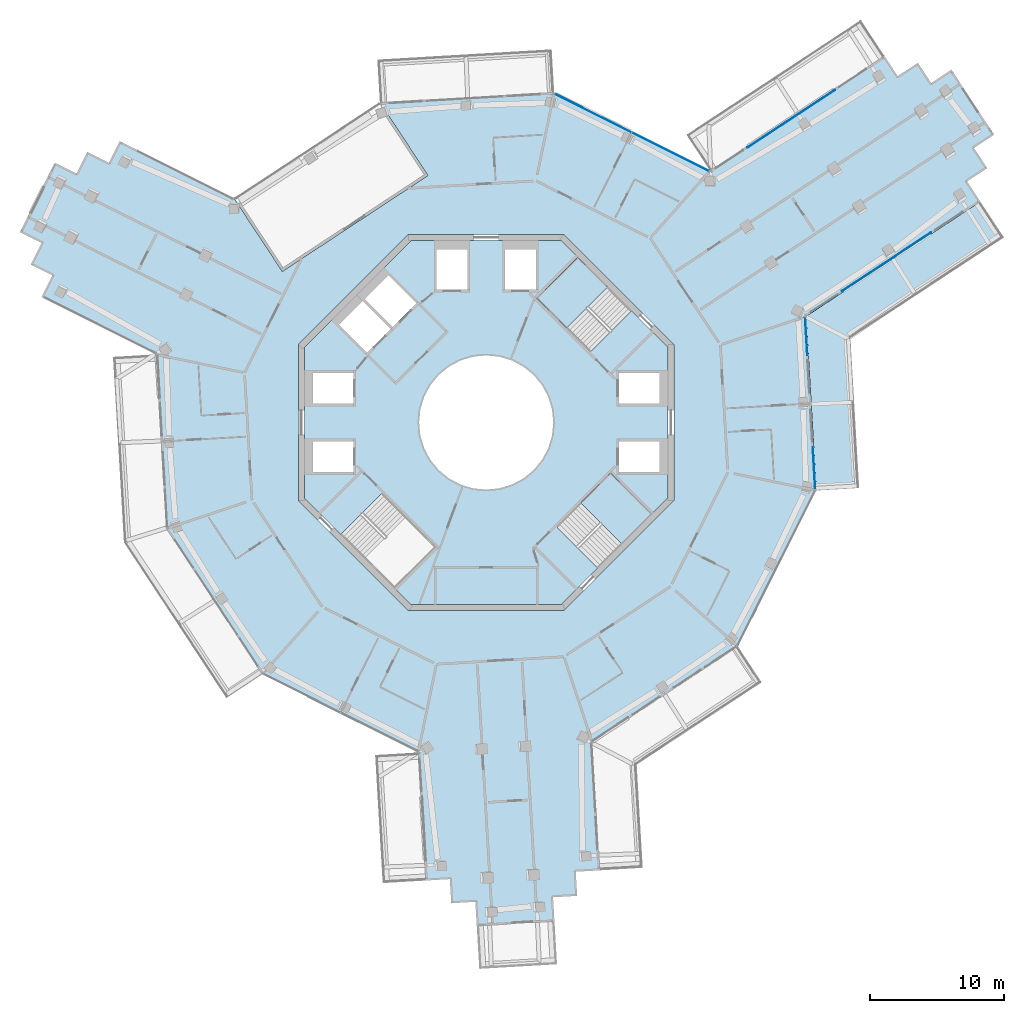
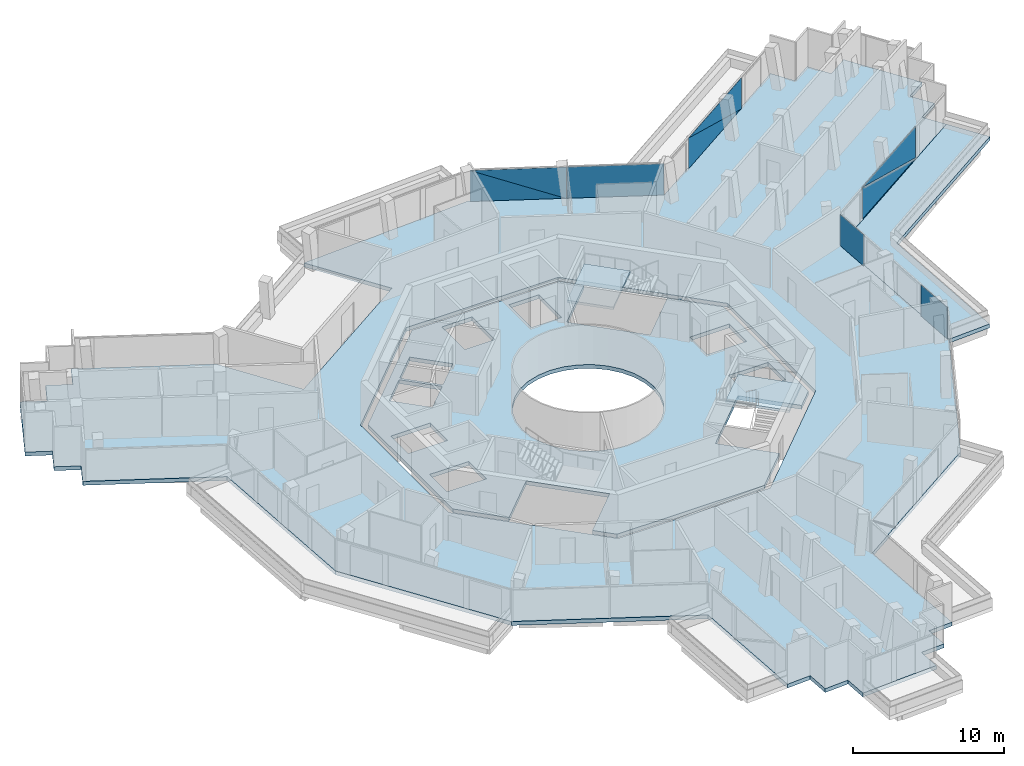
# One storey, part 15 of 26: 9 plates, 5 slabs, 6 elements without a shape of their own.
"""IFC4 building model written with IfcOpenShell, lengths in metres."""

from ifc_helpers import new_model, si_unit, direction, frame, origin, origin_2d, place, context, subcontext, project, spatial, polyline, rectangle, outline, extrude, material, layer, layer_set, type_object, element, aggregate, save


model = new_model("IFC4")

# Units and contexts
model_context = context("Model", 3, precision=1e-05, world=origin(), true_north=direction((0.0, 1.0)))
body_context = subcontext(model_context, "Body", "Model", "MODEL_VIEW")
ifc_project = project(units=[si_unit("LENGTHUNIT", "METRE"), si_unit("AREAUNIT", "SQUARE_METRE"), si_unit("VOLUMEUNIT", "CUBIC_METRE"), si_unit("PLANEANGLEUNIT", "RADIAN"), si_unit("MASSUNIT", "GRAM", prefix="KILO")], contexts=[model_context])

# Site, building, storey
site_placement = place(None, origin())
site = spatial("IfcSite", under=ifc_project, at=site_placement, CompositionType="ELEMENT")
building_placement = place(site_placement, origin())
building = spatial("IfcBuilding", under=site, at=building_placement, Name="Verdalira Terraces Hotel", CompositionType="ELEMENT")
storey_placement = place(building_placement, frame((0.0, 0.0, 291.5)))
storey = spatial("IfcBuildingStorey", under=building, at=storey_placement, Name="L72", CompositionType="ELEMENT", Elevation=291.5)

# Slab
ifc_material_1 = material(Name="Precast concrete C40/50", Category="concrete")
ifc_layer_1 = layer(ifc_material_1, 0.31005859375)
ifc_layer_set_1 = layer_set([ifc_layer_1], Name="Balcony deck 310")
slab_type_1 = type_object("IfcSlabType", Name="Balcony deck 310", PredefinedType="FLOOR", material=ifc_layer_set_1)
slab_1_placement = place(storey_placement, frame((0.0, 0.0, -0.310059)))
element("IfcSlab", 1, at=slab_1_placement, inside=storey, type_object=slab_type_1, Name="Balcony deck", PredefinedType="FLOOR", context=body_context, shape_type="SweptSolid", body=[
    extrude(outline(polyline([(38.581055, 13.787354), (36.821533, 16.460205), (23.835693, 7.910645), (24.597656, -5.067139), (27.791992, -4.879395), (27.138428, 6.253906), (38.581055, 13.787354)])), origin(), (0.0, 0.0, 1.0), 0.310059),
])

# Curtain wall, plates
ifc_material_2 = material(Name="Clear glass", Category="glass")
ifc_layer_2 = layer(ifc_material_2, 0.14990234375)
ifc_layer_set_2 = layer_set([ifc_layer_2], Name="CW1 curtain wall")
curtain_wall_type_1 = type_object("IfcCurtainWallType", Name="CW1 curtain wall", PredefinedType="NOTDEFINED", material=ifc_layer_set_2)
curtain_wall_1_placement = place(storey_placement, origin())
curtain_wall_1 = element("IfcCurtainWall", 2, at=curtain_wall_1_placement, inside=storey, type_object=curtain_wall_type_1, Name="CW1 curtain wall L72 edge 27", PredefinedType="NOTDEFINED")
ifc_material_3 = material(Name="Clear glass", Category="glass")
ifc_layer_3 = layer(ifc_material_3, 0.028076171875)
ifc_layer_set_3 = layer_set([ifc_layer_3], Name="CW1 glass unit 28")
plate_type_1 = type_object("IfcPlateType", Name="CW1 glass unit 28", PredefinedType="CURTAIN_PANEL", material=ifc_layer_set_3)
plate_1_placement = place(storey_placement, frame((24.424561, -3.39917, 0.0), z_axis=(0.0, 0.0, 1.0), x_axis=(-0.058609456, 0.998280988, 0.0)))
plate_1 = element("IfcPlate", 3, at=plate_1_placement, type_object=plate_type_1, Name="CW1 glass unit", PredefinedType="CURTAIN_PANEL", context=body_context, shape_type="SweptSolid", body=[
    extrude(rectangle(XDim=3.149902, YDim=0.028076, at=origin_2d()), origin(), (0.0, 0.0, 1.0), 2.524902),
])
plate_2_placement = place(storey_placement, frame((23.847168, 6.434326, 0.0), z_axis=(0.0, 0.0, 1.0), x_axis=(-0.058609456, 0.998280988, 0.0)))
plate_2 = element("IfcPlate", 4, at=plate_2_placement, type_object=plate_type_1, Name="CW1 glass unit", PredefinedType="CURTAIN_PANEL", context=body_context, shape_type="SweptSolid", body=[
    extrude(rectangle(XDim=2.828613, YDim=0.028076, at=origin_2d()), origin(), (0.0, 0.0, 1.0), 2.524902),
])
aggregate(curtain_wall_1, [plate_1, plate_2])

curtain_wall_2_placement = place(storey_placement, origin())
curtain_wall_2 = element("IfcCurtainWall", 5, at=curtain_wall_2_placement, inside=storey, type_object=curtain_wall_type_1, Name="CW1 curtain wall L72 edge 39", PredefinedType="NOTDEFINED")
plate_3_placement = place(storey_placement, frame((13.734863, 20.165527, 0.0), z_axis=(0.0, 0.0, 1.0), x_axis=(-0.893841424, 0.448383216, 0.0)))
plate_3 = element("IfcPlate", 6, at=plate_3_placement, type_object=plate_type_1, Name="CW1 glass unit", PredefinedType="CURTAIN_PANEL", context=body_context, shape_type="SweptSolid", body=[
    extrude(rectangle(XDim=6.409912, YDim=0.028076, at=origin_2d()), origin(), (0.0, 0.0, 1.0), 2.524902),
])
plate_4_placement = place(storey_placement, frame((7.963379, 23.045166, 1.262451), z_axis=(0.448383216, 0.893841424, 0.0), x_axis=(-0.893841424, 0.448383216, 0.0)))
plate_4 = element("IfcPlate", 7, at=plate_4_placement, type_object=plate_type_1, Name="CW1 glass unit", PredefinedType="CURTAIN_PANEL", context=body_context, shape_type="SweptSolid", body=[
    extrude(outline(polyline([(-3.185059, -1.262451), (3.185059, -1.262451), (3.185059, 1.262451), (-3.185059, -1.262451)])), origin(), (0.0, 0.0, 1.0), 0.028076),
])
plate_5_placement = place(storey_placement, frame((7.950439, 23.019043, 1.262451), z_axis=(0.448383216, 0.893841424, 0.0), x_axis=(-0.893841424, 0.448383216, 0.0)))
plate_5 = element("IfcPlate", 8, at=plate_5_placement, type_object=plate_type_1, Name="CW1 glass unit", PredefinedType="CURTAIN_PANEL", context=body_context, shape_type="SweptSolid", body=[
    extrude(outline(polyline([(-3.185059, -1.262451), (3.185059, 1.262451), (-3.185059, 1.262451), (-3.185059, -1.262451)])), origin(), (0.0, 0.0, 1.0), 0.028076),
])
aggregate(curtain_wall_2, [plate_3, plate_4, plate_5])

ifc_material_4 = material(Name="Clear glass", Category="glass")
ifc_layer_4 = layer(ifc_material_4, 0.14990234375)
ifc_layer_set_4 = layer_set([ifc_layer_4], Name="CW2 curtain wall")
curtain_wall_type_2 = type_object("IfcCurtainWallType", Name="CW2 curtain wall", PredefinedType="NOTDEFINED", material=ifc_layer_set_4)
curtain_wall_3_placement = place(storey_placement, origin())
curtain_wall_3 = element("IfcCurtainWall", 9, at=curtain_wall_3_placement, inside=storey, type_object=curtain_wall_type_2, Name="CW2 curtain wall L72 edge 28", PredefinedType="NOTDEFINED")
ifc_material_5 = material(Name="Clear glass", Category="glass")
ifc_layer_5 = layer(ifc_material_5, 0.031982421875)
ifc_layer_set_5 = layer_set([ifc_layer_5], Name="CW2 glass unit 32")
plate_type_2 = type_object("IfcPlateType", Name="CW2 glass unit 32", PredefinedType="CURTAIN_PANEL", material=ifc_layer_set_5)
plate_6_placement = place(storey_placement, frame((29.831787, 11.967285, 1.262451), z_axis=(0.549897772, -0.835231968, 0.0), x_axis=(0.835231968, 0.549897772, 0.0)))
plate_6 = element("IfcPlate", 10, at=plate_6_placement, type_object=plate_type_2, Name="CW2 glass unit", PredefinedType="CURTAIN_PANEL", context=body_context, shape_type="SweptSolid", body=[
    extrude(outline(polyline([(-3.96875, -1.262451), (3.96875, -1.262451), (-3.96875, 1.262451), (-3.96875, -1.262451)])), origin(), (0.0, 0.0, 1.0), 0.031982),
])
plate_7_placement = place(storey_placement, frame((29.813721, 11.994629, 1.262451), z_axis=(0.549897772, -0.835231968, 0.0), x_axis=(0.835231968, 0.549897772, 0.0)))
plate_7 = element("IfcPlate", 11, at=plate_7_placement, type_object=plate_type_2, Name="CW2 glass unit", PredefinedType="CURTAIN_PANEL", context=body_context, shape_type="SweptSolid", body=[
    extrude(outline(polyline([(3.96875, -1.262451), (3.96875, 1.262451), (-3.96875, 1.262451), (3.96875, -1.262451)])), origin(), (0.0, 0.0, 1.0), 0.031982),
])
aggregate(curtain_wall_3, [plate_6, plate_7])

curtain_wall_4_placement = place(storey_placement, origin())
curtain_wall_4 = element("IfcCurtainWall", 12, at=curtain_wall_4_placement, inside=storey, type_object=curtain_wall_type_2, Name="CW2 curtain wall L72 edge 38", PredefinedType="NOTDEFINED")
plate_8_placement = place(storey_placement, frame((22.724609, 22.634521, 1.262451), z_axis=(-0.549897772, 0.835231968, 0.0), x_axis=(-0.835231968, -0.549897772, 0.0)))
plate_8 = element("IfcPlate", 13, at=plate_8_placement, type_object=plate_type_2, Name="CW2 glass unit", PredefinedType="CURTAIN_PANEL", context=body_context, shape_type="SweptSolid", body=[
    extrude(outline(polyline([(-3.898682, -1.262451), (3.898682, -1.262451), (3.898682, 1.262451), (-3.898682, -1.262451)])), origin(), (0.0, 0.0, 1.0), 0.031982),
])
plate_9_placement = place(storey_placement, frame((22.742676, 22.607178, 1.262451), z_axis=(-0.549897772, 0.835231968, 0.0), x_axis=(-0.835231968, -0.549897772, 0.0)))
plate_9 = element("IfcPlate", 14, at=plate_9_placement, type_object=plate_type_2, Name="CW2 glass unit", PredefinedType="CURTAIN_PANEL", context=body_context, shape_type="SweptSolid", body=[
    extrude(outline(polyline([(-3.898682, -1.262451), (3.898682, 1.262451), (-3.898682, 1.262451), (-3.898682, -1.262451)])), origin(), (0.0, 0.0, 1.0), 0.031982),
])
aggregate(curtain_wall_4, [plate_8, plate_9])

# Slab
ifc_material_6 = material(Name="Concrete C40", Category="concrete")
ifc_layer_6 = layer(ifc_material_6, 0.31005859375)
ifc_layer_set_6 = layer_set([ifc_layer_6], Name="Core floor slab 310 mm")
slab_type_2 = type_object("IfcSlabType", Name="Core floor slab 310 mm", PredefinedType="FLOOR", material=ifc_layer_set_6)
slab_2_placement = place(storey_placement, frame((0.0, 0.0, -0.310059)))
element("IfcSlab", 15, at=slab_2_placement, inside=storey, type_object=slab_type_2, Name="L72 core floor", PredefinedType="FLOOR", context=body_context, shape_type="SweptSolid", body=[
    extrude(outline(polyline([(-6.809326, -12.353271), (-3.719482, -9.263184), (-7.746094, -5.236572), (-10.836182, -8.326416), (-13.550049, -5.612549), (-13.550049, 5.612549), (-5.612549, 13.550049), (5.612549, 13.550049), (6.809326, 12.353271), (3.719482, 9.263184), (7.746094, 5.236572), (10.836182, 8.326416), (13.550049, 5.612549), (13.550049, -5.612549), (12.353271, -6.809326), (9.263184, -3.719482), (5.236572, -7.746094), (8.326416, -10.836182), (5.612549, -13.550049), (-5.612549, -13.550049), (-6.809326, -12.353271)]), holes=[polyline([(9.899902, -1.399902), (9.899902, -3.699951), (12.899902, -3.699951), (12.899902, -1.399902), (9.899902, -1.399902)]), polyline([(9.899902, 3.699951), (9.899902, 1.399902), (12.899902, 1.399902), (12.899902, 3.699951), (9.899902, 3.699951)]), polyline([(3.699951, 12.899902), (1.399902, 12.899902), (1.399902, 9.899902), (3.699951, 9.899902), (3.699951, 12.899902)]), polyline([(-1.399902, 12.899902), (-3.699951, 12.899902), (-3.699951, 9.899902), (-1.399902, 9.899902), (-1.399902, 12.899902)]), polyline([(-9.899902, 1.399902), (-9.899902, 3.699951), (-12.899902, 3.699951), (-12.899902, 1.399902), (-9.899902, 1.399902)]), polyline([(-9.899902, -3.699951), (-9.899902, -1.399902), (-12.899902, -1.399902), (-12.899902, -3.699951), (-9.899902, -3.699951)]), polyline([(-9.051025, 9.192383), (-6.965088, 7.106445), (-5.197266, 8.874268), (-7.283203, 10.960205), (-9.051025, 9.192383)]), polyline([(-9.192383, 9.051025), (-10.960205, 7.283203), (-8.874268, 5.197266), (-7.106445, 6.965088), (-9.192383, 9.051025)]), polyline([(3.5354, 3.5354), (2.777832, 4.157227), (1.91333, 4.619385), (0.975586, 4.903809), (0.0, 5.0), (-0.975586, 4.903809), (-1.91333, 4.619385), (-2.777832, 4.157227), (-3.5354, 3.5354), (-4.157227, 2.777832), (-4.619385, 1.91333), (-4.903809, 0.975586), (-5.0, 0.0), (-4.903809, -0.975586), (-4.619385, -1.91333), (-4.157227, -2.777832), (-3.5354, -3.5354), (-2.777832, -4.157227), (-1.91333, -4.619385), (-0.975586, -4.903809), (0.0, -5.0), (0.975586, -4.903809), (1.91333, -4.619385), (2.777832, -4.157227), (3.5354, -3.5354), (4.157227, -2.777832), (4.619385, -1.91333), (4.903809, -0.975586), (5.0, 0.0), (4.903809, 0.975586), (4.619385, 1.91333), (4.157227, 2.777832), (3.5354, 3.5354)])]), origin(), (0.0, 0.0, 1.0), 0.310059),
])

# Stair, slab
ifc_material_7 = material(Name="Concrete C40", Category="concrete")
stair_type = type_object("IfcStairType", Name="Core stair 20 risers 2125 mm wide", PredefinedType="HALF_TURN_STAIR", material=ifc_material_7)
stair_1_placement = place(storey_placement, origin())
stair_1 = element("IfcStair", 16, at=stair_1_placement, inside=storey, type_object=stair_type, Name="L72 Exit stair ST1", PredefinedType="HALF_TURN_STAIR")
ifc_material_8 = material(Name="Concrete C40", Category="concrete")
ifc_layer_7 = layer(ifc_material_8, 0.199951171875)
ifc_layer_set_7 = layer_set([ifc_layer_7], Name="Core stair landing 200 mm")
slab_type_3 = type_object("IfcSlabType", Name="Core stair landing 200 mm", PredefinedType="LANDING", material=ifc_layer_set_7)
slab_3_placement = place(storey_placement, frame((0.0, 0.0, 1.550049)))
slab_3 = element("IfcSlab", 17, at=slab_3_placement, type_object=slab_type_3, Name="ST1 landing 1", PredefinedType="LANDING", context=body_context, shape_type="SweptSolid", body=[
    extrude(outline(polyline([(9.054932, 10.107666), (6.823486, 12.339111), (3.747559, 9.263184), (5.979004, 7.031738), (9.054932, 10.107666)])), origin(), (0.0, 0.0, 1.0), 0.199951),
])
aggregate(stair_1, [slab_3])

stair_2_placement = place(storey_placement, origin())
stair_2 = element("IfcStair", 18, at=stair_2_placement, inside=storey, type_object=stair_type, Name="L72 Exit stair ST3", PredefinedType="HALF_TURN_STAIR")
slab_4_placement = place(storey_placement, frame((0.0, 0.0, 1.550049)))
slab_4 = element("IfcSlab", 19, at=slab_4_placement, type_object=slab_type_3, Name="ST3 landing 1", PredefinedType="LANDING", context=body_context, shape_type="SweptSolid", body=[
    extrude(outline(polyline([(10.107666, -9.054932), (12.339111, -6.823486), (9.263184, -3.747559), (7.031738, -5.979004), (10.107666, -9.054932)])), origin(), (0.0, 0.0, 1.0), 0.199951),
])
aggregate(stair_2, [slab_4])

# Slab
ifc_material_9 = material(Name="Concrete C40", Category="concrete")
ifc_layer_8 = layer(ifc_material_9, 0.31005859375)
ifc_layer_set_8 = layer_set([ifc_layer_8], Name="Floor slab 310 C40")
slab_type_4 = type_object("IfcSlabType", Name="Floor slab 310 C40", PredefinedType="FLOOR", material=ifc_layer_set_8)
slab_5_placement = place(storey_placement, frame((0.0, 0.0, -0.310059)))
element("IfcSlab", 20, at=slab_5_placement, inside=storey, type_object=slab_type_4, Name="Floor slab L72", PredefinedType="FLOOR", context=body_context, shape_type="SweptSolid", body=[
    extrude(outline(polyline([(16.687012, 18.768555), (5.067139, 24.597656), (-7.909912, 23.835693), (-4.335693, 18.406494), (-15.194336, 11.257324), (-18.769287, 16.687012), (-18.769043, 16.687256), (-27.30249, 20.968018), (-28.109619, 19.358887), (-29.718506, 20.166016), (-30.525635, 18.557129), (-32.134521, 19.364258), (-34.735107, 14.179932), (-33.126221, 13.372803), (-33.93335, 11.763916), (-32.324463, 10.956787), (-33.131592, 9.3479), (-24.597656, 5.067139), (-23.835693, -7.910645), (-16.687012, -18.768555), (-5.067139, -24.597656), (-4.507568, -34.128662), (-2.710693, -34.023193), (-2.60498, -35.820068), (-0.808105, -35.7146), (-0.702637, -37.511475), (5.087402, -37.171387), (4.981934, -35.374512), (6.778809, -35.269043), (6.67334, -33.472168), (8.470215, -33.366699), (7.910645, -23.835693), (18.768555, -16.687012), (24.597656, -5.067139), (23.835693, 7.910645), (36.821289, 16.460205), (35.831543, 17.963379), (37.334961, 18.953369), (36.345215, 20.456787), (37.848633, 21.446533), (34.65918, 26.291016), (33.155762, 25.301025), (32.166016, 26.804443), (30.662598, 25.814697), (29.672852, 27.318115), (16.687012, 18.768555)]), holes=[polyline([(5.799072, 14.0), (14.0, 5.799072), (14.0, -5.799072), (5.799072, -14.0), (-5.799072, -14.0), (-14.0, -5.799072), (-14.0, 5.799072), (-5.799072, 14.0), (5.799072, 14.0)])]), origin(), (0.0, 0.0, 1.0), 0.310059),
])

save(model, "model.ifc")
